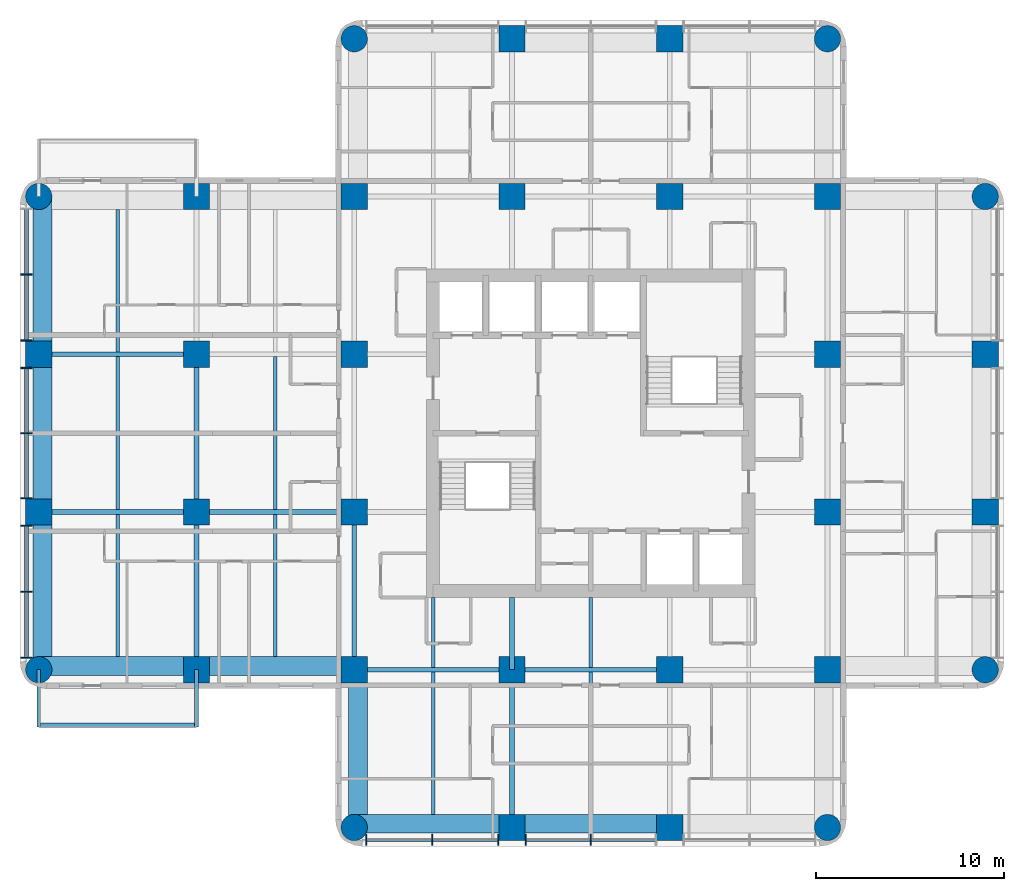
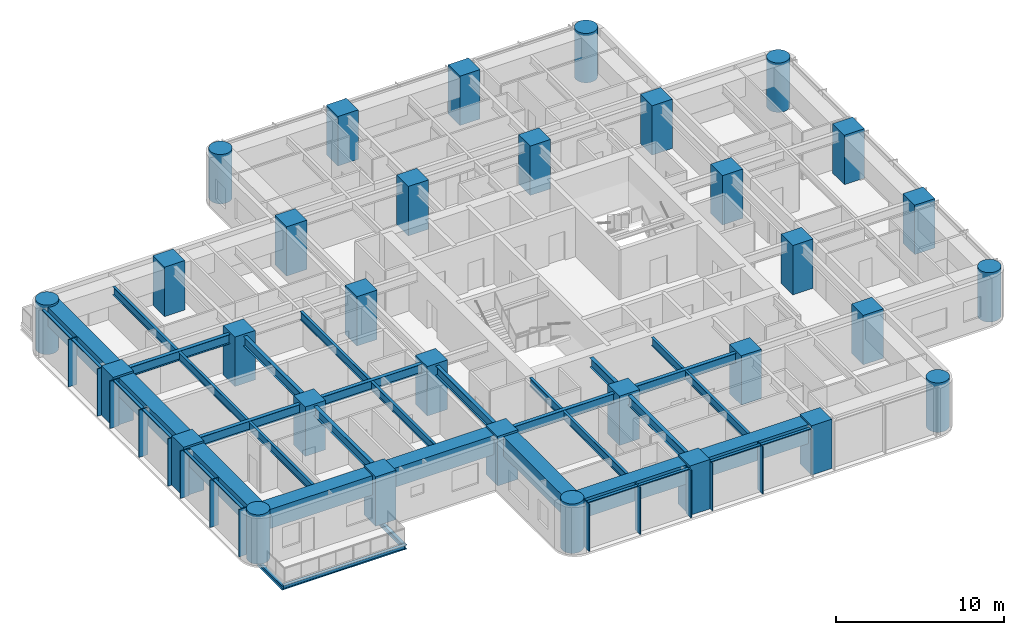
# One storey, part 1 of 11: 32 columns, 30 beams, 23 members, 2 elements without a shape of their own.
"""IFC4 building model written with IfcOpenShell, lengths in metres."""

from ifc_helpers import new_model, si_unit, direction, frame, origin, origin_2d, place, context, subcontext, project, spatial, rectangle, circle, i_section, extrude, material, material_profile, profile_set, type_object, element, aggregate, save


model = new_model("IFC4")

# Units and contexts
model_context = context("Model", 3, precision=1e-05, world=origin(), true_north=direction((0.0, 1.0)))
body_context = subcontext(model_context, "Body", "Model", "MODEL_VIEW")
ifc_project = project(units=[si_unit("LENGTHUNIT", "METRE"), si_unit("AREAUNIT", "SQUARE_METRE"), si_unit("VOLUMEUNIT", "CUBIC_METRE"), si_unit("PLANEANGLEUNIT", "RADIAN"), si_unit("MASSUNIT", "GRAM", prefix="KILO")], contexts=[model_context])

# Site, building, storey
site_placement = place(None, origin())
site = spatial("IfcSite", under=ifc_project, at=site_placement, CompositionType="ELEMENT")
building_placement = place(site_placement, origin())
building = spatial("IfcBuilding", under=site, at=building_placement, Name="Torre Alcanfor", CompositionType="ELEMENT")
storey_placement = place(building_placement, frame((0.0, 0.0, 215.699951171875)))
storey = spatial("IfcBuildingStorey", under=building, at=storey_placement, Name="L56", CompositionType="ELEMENT", Elevation=215.699951171875)

# Columns
ifc_material_1 = material(Name="Concrete f'c 70 MPa", Category="concrete")
ifc_material_profile_1 = material_profile(ifc_material_1, rectangle(XDim=1.39990234375, YDim=1.39990234375, at=origin_2d()), Name="1400x1400")
ifc_profile_set_1 = profile_set([ifc_material_profile_1], Name="Concrete f'c 70 MPa")
column_type_1 = type_object("IfcColumnType", Name="RC column 1400x1400 f'c70", PredefinedType="COLUMN", material=ifc_profile_set_1)
for number, where, z_axis, x_axis, name in (
    (1, (0.0, 25.199951171875, 0.0), (0.0, 0.0, 1.0), (1.0, 0.0, 0.0), "Column 1/F L56"),
    (2, (0.0, 33.60009765625, 0.0), (0.0, 0.0, 1.0), (1.0, 0.0, 0.0), "Column 1/G L56"),
    (3, (8.39990234375, 16.800048828125, 0.0), (0.0, 0.0, 1.0), (1.0, 0.0, 0.0), "Column 2/E L56"),
    (4, (8.39990234375, 25.199951171875, 0.0), (0.0, 0.0, 1.0), (1.0, 0.0, 0.0), "Column 2/F L56"),
    (5, (8.39990234375, 33.60009765625, 0.0), (0.0, 0.0, 1.0), (1.0, 0.0, 0.0), "Column 2/G L56"),
    (6, (8.39990234375, 42.0, 0.0), (0.0, 0.0, 1.0), (1.0, 0.0, 0.0), "Column 2/H L56"),
    (7, (16.800048828125, 16.800048828125, 0.0), (0.0, 0.0, 1.0), (1.0, 0.0, 0.0), "Column 3/E L56"),
    (8, (16.800048828125, 25.199951171875, 0.0), (0.0, 0.0, 1.0), (1.0, 0.0, 0.0), "Column 3/F L56"),
    (9, (16.800048828125, 33.60009765625, 0.0), (0.0, 0.0, 1.0), (1.0, 0.0, 0.0), "Column 3/G L56"),
    (10, (16.800048828125, 42.0, 0.0), (0.0, 0.0, 1.0), (1.0, 0.0, 0.0), "Column 3/H L56"),
    (11, (25.199951171875, 8.39990234375, 0.0), (0.0, 0.0, 1.0), (1.0, 0.0, 0.0), "Column 4/D L56"),
    (12, (25.199951171875, 16.800048828125, 0.0), (0.0, 0.0, 1.0), (1.0, 0.0, 0.0), "Column 4/E L56"),
    (13, (25.199951171875, 42.0, 0.0), (0.0, 0.0, 1.0), (1.0, 0.0, 0.0), "Column 4/H L56"),
    (14, (25.199951171875, 50.39990234375, 0.0), (0.0, 0.0, 1.0), (1.0, 0.0, 0.0), "Column 4/J L56"),
    (15, (33.60009765625, 8.39990234375, 0.0), (0.0, 0.0, 1.0), (1.0, 0.0, 0.0), "Column 5/D L56"),
    (16, (33.60009765625, 16.800048828125, 0.0), (0.0, 0.0, 1.0), (1.0, 0.0, 0.0), "Column 5/E L56"),
    (17, (33.60009765625, 42.0, 0.0), (0.0, 0.0, 1.0), (1.0, 0.0, 0.0), "Column 5/H L56"),
    (18, (33.60009765625, 50.39990234375, 0.0), (0.0, 0.0, 1.0), (1.0, 0.0, 0.0), "Column 5/J L56"),
    (19, (42.0, 16.800048828125, 0.0), (0.0, 0.0, 1.0), (1.0, 0.0, 0.0), "Column 6/E L56"),
    (20, (42.0, 25.199951171875, 0.0), (0.0, 0.0, 1.0), (1.0, 0.0, 0.0), "Column 6/F L56"),
    (21, (42.0, 33.60009765625, 0.0), (0.0, 0.0, 1.0), (1.0, 0.0, 0.0), "Column 6/G L56"),
    (22, (42.0, 42.0, 0.0), (0.0, 0.0, 1.0), (1.0, 0.0, 0.0), "Column 6/H L56"),
    (23, (50.39990234375, 25.199951171875, 0.0), (0.0, 0.0, 1.0), (1.0, 0.0, 0.0), "Column 7/F L56"),
    (24, (50.39990234375, 33.60009765625, 0.0), (0.0, 0.0, 1.0), (1.0, 0.0, 0.0), "Column 7/G L56"),
):
    element("IfcColumn", number, at=place(storey_placement, frame(where, z_axis=z_axis, x_axis=x_axis)), inside=storey, type_object=column_type_1, Name=name, PredefinedType="COLUMN", context=body_context, shape_type="SweptSolid", body=[
        extrude(rectangle(XDim=1.39990234375, YDim=1.39990234375, at=origin_2d()), origin(), (0.0, 0.0, 1.0), 3.60009765625),
    ])
ifc_material_2 = material(Name="Concrete f'c 70 MPa", Category="concrete")
ifc_material_profile_2 = material_profile(ifc_material_2, circle(Radius=0.699951171875, at=origin_2d()), Name="D1400")
ifc_profile_set_2 = profile_set([ifc_material_profile_2], Name="Concrete f'c 70 MPa")
column_type_2 = type_object("IfcColumnType", Name="RC column D1400 f'c70", PredefinedType="COLUMN", material=ifc_profile_set_2)
for number, where, z_axis, x_axis, name in (
    (25, (0.0, 16.800048828125, 0.0), (0.0, 0.0, 1.0), (1.0, 0.0, 0.0), "Column 1/E L56"),
    (26, (0.0, 42.0, 0.0), (0.0, 0.0, 1.0), (1.0, 0.0, 0.0), "Column 1/H L56"),
    (27, (16.800048828125, 8.39990234375, 0.0), (0.0, 0.0, 1.0), (1.0, 0.0, 0.0), "Column 3/D L56"),
    (28, (16.800048828125, 50.39990234375, 0.0), (0.0, 0.0, 1.0), (1.0, 0.0, 0.0), "Column 3/J L56"),
    (29, (42.0, 8.39990234375, 0.0), (0.0, 0.0, 1.0), (1.0, 0.0, 0.0), "Column 6/D L56"),
    (30, (42.0, 50.39990234375, 0.0), (0.0, 0.0, 1.0), (1.0, 0.0, 0.0), "Column 6/J L56"),
    (31, (50.39990234375, 16.800048828125, 0.0), (0.0, 0.0, 1.0), (1.0, 0.0, 0.0), "Column 7/E L56"),
    (32, (50.39990234375, 42.0, 0.0), (0.0, 0.0, 1.0), (1.0, 0.0, 0.0), "Column 7/H L56"),
):
    element("IfcColumn", number, at=place(storey_placement, frame(where, z_axis=z_axis, x_axis=x_axis)), inside=storey, type_object=column_type_2, Name=name, PredefinedType="COLUMN", context=body_context, shape_type="SweptSolid", body=[
        extrude(circle(Radius=0.699951171875, at=origin_2d()), origin(), (0.0, 0.0, 1.0), 3.60009765625),
    ])

# Beams
ifc_material_3 = material(Name="Steel ASTM A992 Grade 50", Category="steel")
ifc_material_profile_3 = material_profile(ifc_material_3, i_section(OverallWidth=0.205322265625, OverallDepth=0.309814453125, WebThickness=0.00927734375, FlangeThickness=0.016357421875, at=origin_2d()), Name="W12x50")
ifc_profile_set_3 = profile_set([ifc_material_profile_3], Name="Steel ASTM A992 Grade 50")
beam_type_1 = type_object("IfcBeamType", Name="Balcony cantilever beam W12x50", PredefinedType="BEAM", material=ifc_profile_set_3)
for number, where, z_axis, x_axis, name in (
    (33, (8.39990234375, 16.800048828125, -0.35498046875), (0.0, -1.0, 0.0), (1.0, 0.0, 0.0), "Balcony cantilever beam L56-W1 1"),
    (34, (0.0, 16.800048828125, -0.35498046875), (0.0, -1.0, 0.0), (1.0, 0.0, 0.0), "Balcony cantilever beam L56-W1 2"),
):
    element("IfcBeam", number, at=place(storey_placement, frame(where, z_axis=z_axis, x_axis=x_axis)), inside=storey, type_object=beam_type_1, Name=name, PredefinedType="BEAM", context=body_context, shape_type="SweptSolid", body=[
        extrude(i_section(OverallWidth=0.205322265625, OverallDepth=0.309814453125, WebThickness=0.00927734375, FlangeThickness=0.016357421875, at=origin_2d()), origin(), (0.0, 0.0, 1.0), 3.050048828125),
    ])
ifc_material_4 = material(Name="Steel ASTM A992 Grade 50", Category="steel")
ifc_material_profile_4 = material_profile(ifc_material_4, i_section(OverallWidth=0.203369140625, OverallDepth=0.30224609375, WebThickness=0.007568359375, FlangeThickness=0.01318359375, at=origin_2d()), Name="W12x40")
ifc_profile_set_4 = profile_set([ifc_material_profile_4], Name="Steel ASTM A992 Grade 50")
beam_type_2 = type_object("IfcBeamType", Name="Balcony edge trimmer W12x40", PredefinedType="BEAM", material=ifc_profile_set_4)
beam_1_placement = place(storey_placement, frame((8.39990234375, 13.851806640625, -0.35107421875), z_axis=(-1.0, 0.0, 0.0), x_axis=(0.0, -1.0, 0.0)))
element("IfcBeam", 35, at=beam_1_placement, inside=storey, type_object=beam_type_2, Name="Balcony edge trimmer L56-W1", PredefinedType="BEAM", context=body_context, shape_type="SweptSolid", body=[
    extrude(i_section(OverallWidth=0.203369140625, OverallDepth=0.30224609375, WebThickness=0.007568359375, FlangeThickness=0.01318359375, at=origin_2d()), origin(), (0.0, 0.0, 1.0), 8.39990234375),
])

# Curtain wall, members
ifc_material_5 = material(Name="Aluminium and glass", Category="aluminium")
curtain_wall_type = type_object("IfcCurtainWallType", Name="CW-A unitised apartment glazing with vertical FIN", PredefinedType="NOTDEFINED", material=ifc_material_5)
curtain_wall_1_placement = place(storey_placement, origin())
curtain_wall_1 = element("IfcCurtainWall", 36, at=curtain_wall_1_placement, inside=storey, type_object=curtain_wall_type, Name="Curtain wall CW-A L56 2", PredefinedType="NOTDEFINED")
ifc_material_6 = material(Name="Bronze anodised aluminium", Category="aluminium")
ifc_material_profile_5 = material_profile(ifc_material_6, rectangle(XDim=0.60009765625, YDim=0.06494140625, at=origin_2d()), Name="CW-A mullion 65x600")
ifc_profile_set_5 = profile_set([ifc_material_profile_5], Name="Bronze anodised aluminium")
member_type_1 = type_object("IfcMemberType", Name="CW-A mullion with vertical FIN 65x600", PredefinedType="MULLION", material=ifc_profile_set_5)
member_1_placement = place(storey_placement, frame((-0.64990234375, 37.846435546875, 0.0), z_axis=(0.0, 0.0, 1.0), x_axis=(1.0, 0.0, 0.0)))
member_1 = element("IfcMember", 37, at=member_1_placement, type_object=member_type_1, Name="CW-A mullion 1.2", PredefinedType="MULLION", context=body_context, shape_type="SweptSolid", body=[
    extrude(rectangle(XDim=0.60009765625, YDim=0.06494140625, at=origin_2d()), origin(), (0.0, 0.0, 1.0), 3.449951171875),
])
member_2_placement = place(storey_placement, frame((-0.64990234375, 34.33740234375, 0.0), z_axis=(0.0, 0.0, 1.0), x_axis=(1.0, 0.0, 0.0)))
member_2 = element("IfcMember", 38, at=member_2_placement, type_object=member_type_1, Name="CW-A mullion 1.3", PredefinedType="MULLION", context=body_context, shape_type="SweptSolid", body=[
    extrude(rectangle(XDim=0.60009765625, YDim=0.06494140625, at=origin_2d()), origin(), (0.0, 0.0, 1.0), 3.449951171875),
])
member_3_placement = place(storey_placement, frame((-0.64990234375, 32.862548828125, 0.0), z_axis=(0.0, 0.0, 1.0), x_axis=(1.0, 0.0, 0.0)))
member_3 = element("IfcMember", 39, at=member_3_placement, type_object=member_type_1, Name="CW-A mullion 2.1", PredefinedType="MULLION", context=body_context, shape_type="SweptSolid", body=[
    extrude(rectangle(XDim=0.60009765625, YDim=0.06494140625, at=origin_2d()), origin(), (0.0, 0.0, 1.0), 3.449951171875),
])
member_4_placement = place(storey_placement, frame((-0.64990234375, 29.39990234375, 0.0), z_axis=(0.0, 0.0, 1.0), x_axis=(1.0, 0.0, 0.0)))
member_4 = element("IfcMember", 40, at=member_4_placement, type_object=member_type_1, Name="CW-A mullion 2.2", PredefinedType="MULLION", context=body_context, shape_type="SweptSolid", body=[
    extrude(rectangle(XDim=0.60009765625, YDim=0.06494140625, at=origin_2d()), origin(), (0.0, 0.0, 1.0), 3.449951171875),
])
member_5_placement = place(storey_placement, frame((-0.64990234375, 25.9375, 0.0), z_axis=(0.0, 0.0, 1.0), x_axis=(1.0, 0.0, 0.0)))
member_5 = element("IfcMember", 41, at=member_5_placement, type_object=member_type_1, Name="CW-A mullion 2.3", PredefinedType="MULLION", context=body_context, shape_type="SweptSolid", body=[
    extrude(rectangle(XDim=0.60009765625, YDim=0.06494140625, at=origin_2d()), origin(), (0.0, 0.0, 1.0), 3.449951171875),
])
member_6_placement = place(storey_placement, frame((-0.64990234375, 24.46240234375, 0.0), z_axis=(0.0, 0.0, 1.0), x_axis=(1.0, 0.0, 0.0)))
member_6 = element("IfcMember", 42, at=member_6_placement, type_object=member_type_1, Name="CW-A mullion 3.1", PredefinedType="MULLION", context=body_context, shape_type="SweptSolid", body=[
    extrude(rectangle(XDim=0.60009765625, YDim=0.06494140625, at=origin_2d()), origin(), (0.0, 0.0, 1.0), 3.449951171875),
])
member_7_placement = place(storey_placement, frame((-0.64990234375, 20.95361328125, 0.0), z_axis=(0.0, 0.0, 1.0), x_axis=(1.0, 0.0, 0.0)))
member_7 = element("IfcMember", 43, at=member_7_placement, type_object=member_type_1, Name="CW-A mullion 3.2", PredefinedType="MULLION", context=body_context, shape_type="SweptSolid", body=[
    extrude(rectangle(XDim=0.60009765625, YDim=0.06494140625, at=origin_2d()), origin(), (0.0, 0.0, 1.0), 3.449951171875),
])
member_8_placement = place(storey_placement, frame((-0.64990234375, 17.444580078125, 0.0), z_axis=(0.0, 0.0, 1.0), x_axis=(1.0, 0.0, 0.0)))
member_8 = element("IfcMember", 44, at=member_8_placement, type_object=member_type_1, Name="CW-A mullion 3.3", PredefinedType="MULLION", context=body_context, shape_type="SweptSolid", body=[
    extrude(rectangle(XDim=0.60009765625, YDim=0.06494140625, at=origin_2d()), origin(), (0.0, 0.0, 1.0), 3.449951171875),
])

curtain_wall_2_placement = place(storey_placement, origin())
curtain_wall_2 = element("IfcCurtainWall", 45, at=curtain_wall_2_placement, inside=storey, type_object=curtain_wall_type, Name="Curtain wall CW-A L56 5", PredefinedType="NOTDEFINED")
member_9_placement = place(storey_placement, frame((17.444580078125, 7.75, 0.0), z_axis=(0.0, 0.0, 1.0), x_axis=(0.0, 1.0, 0.0)))
member_9 = element("IfcMember", 46, at=member_9_placement, type_object=member_type_1, Name="CW-A mullion 1.1", PredefinedType="MULLION", context=body_context, shape_type="SweptSolid", body=[
    extrude(rectangle(XDim=0.60009765625, YDim=0.06494140625, at=origin_2d()), origin(), (0.0, 0.0, 1.0), 3.449951171875),
])
member_10_placement = place(storey_placement, frame((20.95361328125, 7.75, 0.0), z_axis=(0.0, 0.0, 1.0), x_axis=(0.0, 1.0, 0.0)))
member_10 = element("IfcMember", 47, at=member_10_placement, type_object=member_type_1, Name="CW-A mullion 1.2", PredefinedType="MULLION", context=body_context, shape_type="SweptSolid", body=[
    extrude(rectangle(XDim=0.60009765625, YDim=0.06494140625, at=origin_2d()), origin(), (0.0, 0.0, 1.0), 3.449951171875),
])
member_11_placement = place(storey_placement, frame((24.46240234375, 7.75, 0.0), z_axis=(0.0, 0.0, 1.0), x_axis=(0.0, 1.0, 0.0)))
member_11 = element("IfcMember", 48, at=member_11_placement, type_object=member_type_1, Name="CW-A mullion 1.3", PredefinedType="MULLION", context=body_context, shape_type="SweptSolid", body=[
    extrude(rectangle(XDim=0.60009765625, YDim=0.06494140625, at=origin_2d()), origin(), (0.0, 0.0, 1.0), 3.449951171875),
])
member_12_placement = place(storey_placement, frame((25.9375, 7.75, 0.0), z_axis=(0.0, 0.0, 1.0), x_axis=(0.0, 1.0, 0.0)))
member_12 = element("IfcMember", 49, at=member_12_placement, type_object=member_type_1, Name="CW-A mullion 2.1", PredefinedType="MULLION", context=body_context, shape_type="SweptSolid", body=[
    extrude(rectangle(XDim=0.60009765625, YDim=0.06494140625, at=origin_2d()), origin(), (0.0, 0.0, 1.0), 3.449951171875),
])
member_13_placement = place(storey_placement, frame((29.39990234375, 7.75, 0.0), z_axis=(0.0, 0.0, 1.0), x_axis=(0.0, 1.0, 0.0)))
member_13 = element("IfcMember", 50, at=member_13_placement, type_object=member_type_1, Name="CW-A mullion 2.2", PredefinedType="MULLION", context=body_context, shape_type="SweptSolid", body=[
    extrude(rectangle(XDim=0.60009765625, YDim=0.06494140625, at=origin_2d()), origin(), (0.0, 0.0, 1.0), 3.449951171875),
])

# Member
ifc_material_7 = material(Name="Extruded aluminium", Category="aluminium")
ifc_material_profile_6 = material_profile(ifc_material_7, rectangle(XDim=0.199951171875, YDim=0.06494140625, at=origin_2d()), Name="CW-A transom 200x65")
ifc_profile_set_6 = profile_set([ifc_material_profile_6], Name="Extruded aluminium")
member_type_2 = type_object("IfcMemberType", Name="CW-A transom 65x200", PredefinedType="USERDEFINED", material=ifc_profile_set_6)
member_14_placement = place(storey_placement, frame((-0.64990234375, 41.322998046875, 3.41748046875), z_axis=(0.0, -1.0, 0.0), x_axis=(1.0, 0.0, 0.0)))
member_14 = element("IfcMember", 51, at=member_14_placement, type_object=member_type_2, Name="CW-A transom 1.1.2", ObjectType="TRANSOM", PredefinedType="USERDEFINED", context=body_context, shape_type="SweptSolid", body=[
    extrude(rectangle(XDim=0.199951171875, YDim=0.06494140625, at=origin_2d()), origin(), (0.0, 0.0, 1.0), 3.444091796875),
])

member_15_placement = place(storey_placement, frame((-0.64990234375, 37.81396484375, 3.41748046875), z_axis=(0.0, -1.0, 0.0), x_axis=(1.0, 0.0, 0.0)))
member_15 = element("IfcMember", 52, at=member_15_placement, type_object=member_type_2, Name="CW-A transom 1.2.2", ObjectType="TRANSOM", PredefinedType="USERDEFINED", context=body_context, shape_type="SweptSolid", body=[
    extrude(rectangle(XDim=0.199951171875, YDim=0.06494140625, at=origin_2d()), origin(), (0.0, 0.0, 1.0), 3.44384765625),
])

member_16_placement = place(storey_placement, frame((-0.64990234375, 32.830078125, 3.41748046875), z_axis=(0.0, -1.0, 0.0), x_axis=(1.0, 0.0, 0.0)))
member_16 = element("IfcMember", 53, at=member_16_placement, type_object=member_type_2, Name="CW-A transom 2.1.2", ObjectType="TRANSOM", PredefinedType="USERDEFINED", context=body_context, shape_type="SweptSolid", body=[
    extrude(rectangle(XDim=0.199951171875, YDim=0.06494140625, at=origin_2d()), origin(), (0.0, 0.0, 1.0), 3.3974609375),
])

member_17_placement = place(storey_placement, frame((-0.64990234375, 29.367431640625, 3.41748046875), z_axis=(0.0, -1.0, 0.0), x_axis=(1.0, 0.0, 0.0)))
member_17 = element("IfcMember", 54, at=member_17_placement, type_object=member_type_2, Name="CW-A transom 2.2.2", ObjectType="TRANSOM", PredefinedType="USERDEFINED", context=body_context, shape_type="SweptSolid", body=[
    extrude(rectangle(XDim=0.199951171875, YDim=0.06494140625, at=origin_2d()), origin(), (0.0, 0.0, 1.0), 3.3974609375),
])

member_18_placement = place(storey_placement, frame((-0.64990234375, 24.429931640625, 3.41748046875), z_axis=(0.0, -1.0, 0.0), x_axis=(1.0, 0.0, 0.0)))
member_18 = element("IfcMember", 55, at=member_18_placement, type_object=member_type_2, Name="CW-A transom 3.1.2", ObjectType="TRANSOM", PredefinedType="USERDEFINED", context=body_context, shape_type="SweptSolid", body=[
    extrude(rectangle(XDim=0.199951171875, YDim=0.06494140625, at=origin_2d()), origin(), (0.0, 0.0, 1.0), 3.44384765625),
])

member_19_placement = place(storey_placement, frame((-0.64990234375, 20.9208984375, 3.41748046875), z_axis=(0.0, -1.0, 0.0), x_axis=(1.0, 0.0, 0.0)))
member_19 = element("IfcMember", 56, at=member_19_placement, type_object=member_type_2, Name="CW-A transom 3.2.2", ObjectType="TRANSOM", PredefinedType="USERDEFINED", context=body_context, shape_type="SweptSolid", body=[
    extrude(rectangle(XDim=0.199951171875, YDim=0.06494140625, at=origin_2d()), origin(), (0.0, 0.0, 1.0), 3.44384765625),
])

aggregate(curtain_wall_1, [member_1, member_2, member_14, member_15, member_3, member_4, member_5, member_16, member_17, member_6, member_7, member_8, member_18, member_19])

member_20_placement = place(storey_placement, frame((17.47705078125, 7.75, 3.41748046875), z_axis=(1.0, 0.0, 0.0), x_axis=(0.0, 1.0, 0.0)))
member_20 = element("IfcMember", 57, at=member_20_placement, type_object=member_type_2, Name="CW-A transom 1.1.2", ObjectType="TRANSOM", PredefinedType="USERDEFINED", context=body_context, shape_type="SweptSolid", body=[
    extrude(rectangle(XDim=0.199951171875, YDim=0.06494140625, at=origin_2d()), origin(), (0.0, 0.0, 1.0), 3.44384765625),
])

member_21_placement = place(storey_placement, frame((20.986083984375, 7.75, 3.41748046875), z_axis=(1.0, 0.0, 0.0), x_axis=(0.0, 1.0, 0.0)))
member_21 = element("IfcMember", 58, at=member_21_placement, type_object=member_type_2, Name="CW-A transom 1.2.2", ObjectType="TRANSOM", PredefinedType="USERDEFINED", context=body_context, shape_type="SweptSolid", body=[
    extrude(rectangle(XDim=0.199951171875, YDim=0.06494140625, at=origin_2d()), origin(), (0.0, 0.0, 1.0), 3.44384765625),
])

member_22_placement = place(storey_placement, frame((25.969970703125, 7.75, 3.41748046875), z_axis=(1.0, 0.0, 0.0), x_axis=(0.0, 1.0, 0.0)))
member_22 = element("IfcMember", 59, at=member_22_placement, type_object=member_type_2, Name="CW-A transom 2.1.2", ObjectType="TRANSOM", PredefinedType="USERDEFINED", context=body_context, shape_type="SweptSolid", body=[
    extrude(rectangle(XDim=0.199951171875, YDim=0.06494140625, at=origin_2d()), origin(), (0.0, 0.0, 1.0), 3.3974609375),
])

member_23_placement = place(storey_placement, frame((29.4326171875, 7.75, 3.41748046875), z_axis=(1.0, 0.0, 0.0), x_axis=(0.0, 1.0, 0.0)))
member_23 = element("IfcMember", 60, at=member_23_placement, type_object=member_type_2, Name="CW-A transom 2.2.2", ObjectType="TRANSOM", PredefinedType="USERDEFINED", context=body_context, shape_type="SweptSolid", body=[
    extrude(rectangle(XDim=0.199951171875, YDim=0.06494140625, at=origin_2d()), origin(), (0.0, 0.0, 1.0), 3.3974609375),
])

aggregate(curtain_wall_2, [member_9, member_10, member_11, member_20, member_21, member_12, member_13, member_22, member_23])

# Beams
ifc_material_8 = material(Name="Steel ASTM A992 Grade 50", Category="steel")
ifc_material_profile_7 = material_profile(ifc_material_8, i_section(OverallWidth=0.25390625, OverallDepth=0.683349609375, WebThickness=0.012451171875, FlangeThickness=0.01904296875, at=origin_2d()), Name="W27x94")
ifc_profile_set_7 = profile_set([ifc_material_profile_7], Name="Steel ASTM A992 Grade 50")
beam_type_3 = type_object("IfcBeamType", Name="Girder W27x94", PredefinedType="BEAM", material=ifc_profile_set_7)
beam_2_placement = place(storey_placement, frame((16.800048828125, 16.800048828125, 3.1083984375), z_axis=(1.0, 0.0, 0.0), x_axis=(0.0, 1.0, 0.0)))
element("IfcBeam", 61, at=beam_2_placement, inside=storey, type_object=beam_type_3, Name="Beam 3E-4E under L57", PredefinedType="BEAM", context=body_context, shape_type="SweptSolid", body=[
    extrude(i_section(OverallWidth=0.25390625, OverallDepth=0.683349609375, WebThickness=0.012451171875, FlangeThickness=0.01904296875, at=origin_2d()), origin(), (0.0, 0.0, 1.0), 8.39990234375),
])
beam_3_placement = place(storey_placement, frame((25.199951171875, 16.800048828125, 3.1083984375), z_axis=(1.0, 0.0, 0.0), x_axis=(0.0, 1.0, 0.0)))
element("IfcBeam", 62, at=beam_3_placement, inside=storey, type_object=beam_type_3, Name="Beam 4E-5E under L57", PredefinedType="BEAM", context=body_context, shape_type="SweptSolid", body=[
    extrude(i_section(OverallWidth=0.25390625, OverallDepth=0.683349609375, WebThickness=0.012451171875, FlangeThickness=0.01904296875, at=origin_2d()), origin(), (0.0, 0.0, 1.0), 8.400146484375),
])
beam_4_placement = place(storey_placement, frame((0.0, 25.199951171875, 3.1083984375), z_axis=(1.0, 0.0, 0.0), x_axis=(0.0, 1.0, 0.0)))
element("IfcBeam", 63, at=beam_4_placement, inside=storey, type_object=beam_type_3, Name="Beam 1F-2F under L57", PredefinedType="BEAM", context=body_context, shape_type="SweptSolid", body=[
    extrude(i_section(OverallWidth=0.25390625, OverallDepth=0.683349609375, WebThickness=0.012451171875, FlangeThickness=0.01904296875, at=origin_2d()), origin(), (0.0, 0.0, 1.0), 8.39990234375),
])
beam_5_placement = place(storey_placement, frame((8.39990234375, 25.199951171875, 3.1083984375), z_axis=(1.0, 0.0, 0.0), x_axis=(0.0, 1.0, 0.0)))
element("IfcBeam", 64, at=beam_5_placement, inside=storey, type_object=beam_type_3, Name="Beam 2F-3F under L57", PredefinedType="BEAM", context=body_context, shape_type="SweptSolid", body=[
    extrude(i_section(OverallWidth=0.25390625, OverallDepth=0.683349609375, WebThickness=0.012451171875, FlangeThickness=0.01904296875, at=origin_2d()), origin(), (0.0, 0.0, 1.0), 8.400146484375),
])
for number, where, z_axis, x_axis, name in (
    (65, (0.0, 33.60009765625, 3.1083984375), (1.0, 0.0, 0.0), (0.0, 1.0, 0.0), "Beam 1G-2G under L57"),
    (66, (8.39990234375, 16.800048828125, 3.1083984375), (0.0, 1.0, 0.0), (-1.0, 0.0, 0.0), "Beam 2E-2F under L57"),
):
    element("IfcBeam", number, at=place(storey_placement, frame(where, z_axis=z_axis, x_axis=x_axis)), inside=storey, type_object=beam_type_3, Name=name, PredefinedType="BEAM", context=body_context, shape_type="SweptSolid", body=[
        extrude(i_section(OverallWidth=0.25390625, OverallDepth=0.683349609375, WebThickness=0.012451171875, FlangeThickness=0.01904296875, at=origin_2d()), origin(), (0.0, 0.0, 1.0), 8.39990234375),
    ])
beam_6_placement = place(storey_placement, frame((8.39990234375, 25.199951171875, 3.1083984375), z_axis=(0.0, 1.0, 0.0), x_axis=(-1.0, 0.0, 0.0)))
element("IfcBeam", 67, at=beam_6_placement, inside=storey, type_object=beam_type_3, Name="Beam 2F-2G under L57", PredefinedType="BEAM", context=body_context, shape_type="SweptSolid", body=[
    extrude(i_section(OverallWidth=0.25390625, OverallDepth=0.683349609375, WebThickness=0.012451171875, FlangeThickness=0.01904296875, at=origin_2d()), origin(), (0.0, 0.0, 1.0), 8.400146484375),
])
beam_7_placement = place(storey_placement, frame((16.800048828125, 16.800048828125, 3.1083984375), z_axis=(0.0, 1.0, 0.0), x_axis=(-1.0, 0.0, 0.0)))
element("IfcBeam", 68, at=beam_7_placement, inside=storey, type_object=beam_type_3, Name="Beam 3E-3F under L57", PredefinedType="BEAM", context=body_context, shape_type="SweptSolid", body=[
    extrude(i_section(OverallWidth=0.25390625, OverallDepth=0.683349609375, WebThickness=0.012451171875, FlangeThickness=0.01904296875, at=origin_2d()), origin(), (0.0, 0.0, 1.0), 8.39990234375),
])
beam_8_placement = place(storey_placement, frame((25.199951171875, 8.39990234375, 3.1083984375), z_axis=(0.0, 1.0, 0.0), x_axis=(-1.0, 0.0, 0.0)))
element("IfcBeam", 69, at=beam_8_placement, inside=storey, type_object=beam_type_3, Name="Beam 4D-4E under L57", PredefinedType="BEAM", context=body_context, shape_type="SweptSolid", body=[
    extrude(i_section(OverallWidth=0.25390625, OverallDepth=0.683349609375, WebThickness=0.012451171875, FlangeThickness=0.01904296875, at=origin_2d()), origin(), (0.0, 0.0, 1.0), 8.400146484375),
])
ifc_material_9 = material(Name="Steel ASTM A992 Grade 50", Category="steel")
ifc_material_profile_8 = material_profile(ifc_material_9, i_section(OverallWidth=0.25390625, OverallDepth=0.683349609375, WebThickness=0.012451171875, FlangeThickness=0.01904296875, at=origin_2d()), Name="W27x94")
ifc_profile_set_8 = profile_set([ifc_material_profile_8], Name="Steel ASTM A992 Grade 50")
beam_type_4 = type_object("IfcBeamType", Name="Girder, part bay W27x94", PredefinedType="BEAM", material=ifc_profile_set_8)
beam_9_placement = place(storey_placement, frame((25.199951171875, 16.800048828125, 3.1083984375), z_axis=(0.0, 1.0, 0.0), x_axis=(-1.0, 0.0, 0.0)))
element("IfcBeam", 70, at=beam_9_placement, inside=storey, type_object=beam_type_4, Name="Beam 4E-420_65 under L57", PredefinedType="BEAM", context=body_context, shape_type="SweptSolid", body=[
    extrude(i_section(OverallWidth=0.25390625, OverallDepth=0.683349609375, WebThickness=0.012451171875, FlangeThickness=0.01904296875, at=origin_2d()), origin(), (0.0, 0.0, 1.0), 3.849853515625),
])
ifc_material_10 = material(Name="Concrete f'c 70 MPa", Category="concrete")
ifc_material_profile_9 = material_profile(ifc_material_10, rectangle(XDim=1.0, YDim=1.39990234375, at=origin_2d()), Name="1000x1400")
ifc_profile_set_9 = profile_set([ifc_material_profile_9], Name="Concrete f'c 70 MPa")
beam_type_5 = type_object("IfcBeamType", Name="RC perimeter beam 1000x1400", PredefinedType="BEAM", material=ifc_profile_set_9)
beam_10_placement = place(storey_placement, frame((16.800048828125, 8.60009765625, 2.75), z_axis=(1.0, 0.0, 0.0), x_axis=(0.0, 1.0, 0.0)))
element("IfcBeam", 71, at=beam_10_placement, inside=storey, type_object=beam_type_5, Name="Beam 3D-4D under L57", PredefinedType="BEAM", context=body_context, shape_type="SweptSolid", body=[
    extrude(rectangle(XDim=1.0, YDim=1.39990234375, at=origin_2d()), origin(), (0.0, 0.0, 1.0), 8.27294921875),
])
beam_11_placement = place(storey_placement, frame((25.326904296875, 8.60009765625, 2.75), z_axis=(1.0, 0.0, 0.0), x_axis=(0.0, 1.0, 0.0)))
element("IfcBeam", 72, at=beam_11_placement, inside=storey, type_object=beam_type_5, Name="Beam 4D-5D under L57", PredefinedType="BEAM", context=body_context, shape_type="SweptSolid", body=[
    extrude(rectangle(XDim=1.0, YDim=1.39990234375, at=origin_2d()), origin(), (0.0, 0.0, 1.0), 8.14599609375),
])
beam_12_placement = place(storey_placement, frame((0.0, 17.0, 2.75), z_axis=(1.0, 0.0, 0.0), x_axis=(0.0, 1.0, 0.0)))
element("IfcBeam", 73, at=beam_12_placement, inside=storey, type_object=beam_type_5, Name="Beam 1E-2E under L57", PredefinedType="BEAM", context=body_context, shape_type="SweptSolid", body=[
    extrude(rectangle(XDim=1.0, YDim=1.39990234375, at=origin_2d()), origin(), (0.0, 0.0, 1.0), 8.27294921875),
])
beam_13_placement = place(storey_placement, frame((8.527099609375, 17.0, 2.75), z_axis=(1.0, 0.0, 0.0), x_axis=(0.0, 1.0, 0.0)))
element("IfcBeam", 74, at=beam_13_placement, inside=storey, type_object=beam_type_5, Name="Beam 2E-3E under L57", PredefinedType="BEAM", context=body_context, shape_type="SweptSolid", body=[
    extrude(rectangle(XDim=1.0, YDim=1.39990234375, at=origin_2d()), origin(), (0.0, 0.0, 1.0), 8.14599609375),
])
beam_14_placement = place(storey_placement, frame((0.199951171875, 16.800048828125, 2.75), z_axis=(0.0, 1.0, 0.0), x_axis=(-1.0, 0.0, 0.0)))
element("IfcBeam", 75, at=beam_14_placement, inside=storey, type_object=beam_type_5, Name="Beam 1E-1F under L57", PredefinedType="BEAM", context=body_context, shape_type="SweptSolid", body=[
    extrude(rectangle(XDim=1.0, YDim=1.39990234375, at=origin_2d()), origin(), (0.0, 0.0, 1.0), 8.27294921875),
])
beam_15_placement = place(storey_placement, frame((0.199951171875, 25.326904296875, 2.75), z_axis=(0.0, 1.0, 0.0), x_axis=(-1.0, 0.0, 0.0)))
element("IfcBeam", 76, at=beam_15_placement, inside=storey, type_object=beam_type_5, Name="Beam 1F-1G under L57", PredefinedType="BEAM", context=body_context, shape_type="SweptSolid", body=[
    extrude(rectangle(XDim=1.0, YDim=1.39990234375, at=origin_2d()), origin(), (0.0, 0.0, 1.0), 8.14599609375),
])
beam_16_placement = place(storey_placement, frame((0.199951171875, 33.72705078125, 2.75), z_axis=(0.0, 1.0, 0.0), x_axis=(-1.0, 0.0, 0.0)))
element("IfcBeam", 77, at=beam_16_placement, inside=storey, type_object=beam_type_5, Name="Beam 1G-1H under L57", PredefinedType="BEAM", context=body_context, shape_type="SweptSolid", body=[
    extrude(rectangle(XDim=1.0, YDim=1.39990234375, at=origin_2d()), origin(), (0.0, 0.0, 1.0), 8.27294921875),
])
beam_17_placement = place(storey_placement, frame((17.0, 8.39990234375, 2.75), z_axis=(0.0, 1.0, 0.0), x_axis=(-1.0, 0.0, 0.0)))
element("IfcBeam", 78, at=beam_17_placement, inside=storey, type_object=beam_type_5, Name="Beam 3D-3E under L57", PredefinedType="BEAM", context=body_context, shape_type="SweptSolid", body=[
    extrude(rectangle(XDim=1.0, YDim=1.39990234375, at=origin_2d()), origin(), (0.0, 0.0, 1.0), 8.273193359375),
])
ifc_material_11 = material(Name="Steel ASTM A992 Grade 50", Category="steel")
ifc_material_profile_10 = material_profile(ifc_material_11, i_section(OverallWidth=0.1787109375, OverallDepth=0.60205078125, WebThickness=0.010986328125, FlangeThickness=0.014892578125, at=origin_2d()), Name="W24x62")
ifc_profile_set_10 = profile_set([ifc_material_profile_10], Name="Steel ASTM A992 Grade 50")
beam_type_6 = type_object("IfcBeamType", Name="Secondary beam W24x62", PredefinedType="BEAM", material=ifc_profile_set_10)
beam_18_placement = place(storey_placement, frame((4.199951171875, 17.5, 3.149169921875), z_axis=(0.0, 1.0, 0.0), x_axis=(-1.0, 0.0, 0.0)))
element("IfcBeam", 79, at=beam_18_placement, inside=storey, type_object=beam_type_6, Name="Beam 4_2E-4_2F under L57", PredefinedType="BEAM", context=body_context, shape_type="SweptSolid", body=[
    extrude(i_section(OverallWidth=0.1787109375, OverallDepth=0.60205078125, WebThickness=0.010986328125, FlangeThickness=0.014892578125, at=origin_2d()), origin(), (0.0, 0.0, 1.0), 7.572998046875),
])
beam_19_placement = place(storey_placement, frame((4.199951171875, 25.326904296875, 3.149169921875), z_axis=(0.0, 1.0, 0.0), x_axis=(-1.0, 0.0, 0.0)))
element("IfcBeam", 80, at=beam_19_placement, inside=storey, type_object=beam_type_6, Name="Beam 4_2F-4_2G under L57", PredefinedType="BEAM", context=body_context, shape_type="SweptSolid", body=[
    extrude(i_section(OverallWidth=0.1787109375, OverallDepth=0.60205078125, WebThickness=0.010986328125, FlangeThickness=0.014892578125, at=origin_2d()), origin(), (0.0, 0.0, 1.0), 8.14599609375),
])
for number, where, z_axis, x_axis, name in (
    (81, (4.199951171875, 33.72705078125, 3.149169921875), (0.0, 1.0, 0.0), (-1.0, 0.0, 0.0), "Beam 4_2G-4_2H under L57"),
    (82, (12.60009765625, 17.5, 3.149169921875), (0.0, 1.0, 0.0), (-1.0, 0.0, 0.0), "Beam 12_6E-12_6F under L57"),
):
    element("IfcBeam", number, at=place(storey_placement, frame(where, z_axis=z_axis, x_axis=x_axis)), inside=storey, type_object=beam_type_6, Name=name, PredefinedType="BEAM", context=body_context, shape_type="SweptSolid", body=[
        extrude(i_section(OverallWidth=0.1787109375, OverallDepth=0.60205078125, WebThickness=0.010986328125, FlangeThickness=0.014892578125, at=origin_2d()), origin(), (0.0, 0.0, 1.0), 7.572998046875),
    ])
beam_20_placement = place(storey_placement, frame((12.60009765625, 25.326904296875, 3.149169921875), z_axis=(0.0, 1.0, 0.0), x_axis=(-1.0, 0.0, 0.0)))
element("IfcBeam", 83, at=beam_20_placement, inside=storey, type_object=beam_type_6, Name="Beam 12_6F-12_6G under L57", PredefinedType="BEAM", context=body_context, shape_type="SweptSolid", body=[
    extrude(i_section(OverallWidth=0.1787109375, OverallDepth=0.60205078125, WebThickness=0.010986328125, FlangeThickness=0.014892578125, at=origin_2d()), origin(), (0.0, 0.0, 1.0), 8.14599609375),
])
for number, where, z_axis, x_axis, name in (
    (84, (21.0, 9.10009765625, 3.149169921875), (0.0, 1.0, 0.0), (-1.0, 0.0, 0.0), "Beam 21D-21E under L57"),
    (85, (29.39990234375, 9.10009765625, 3.149169921875), (0.0, 1.0, 0.0), (-1.0, 0.0, 0.0), "Beam 29_4D-29_4E under L57"),
):
    element("IfcBeam", number, at=place(storey_placement, frame(where, z_axis=z_axis, x_axis=x_axis)), inside=storey, type_object=beam_type_6, Name=name, PredefinedType="BEAM", context=body_context, shape_type="SweptSolid", body=[
        extrude(i_section(OverallWidth=0.1787109375, OverallDepth=0.60205078125, WebThickness=0.010986328125, FlangeThickness=0.014892578125, at=origin_2d()), origin(), (0.0, 0.0, 1.0), 7.572998046875),
    ])
ifc_material_12 = material(Name="Steel ASTM A992 Grade 50", Category="steel")
ifc_material_profile_11 = material_profile(ifc_material_12, i_section(OverallWidth=0.1787109375, OverallDepth=0.60205078125, WebThickness=0.010986328125, FlangeThickness=0.014892578125, at=origin_2d()), Name="W24x62")
ifc_profile_set_11 = profile_set([ifc_material_profile_11], Name="Steel ASTM A992 Grade 50")
beam_type_7 = type_object("IfcBeamType", Name="Secondary beam, part bay W24x62", PredefinedType="BEAM", material=ifc_profile_set_11)
for number, where, z_axis, x_axis, name in (
    (86, (21.0, 16.927001953125, 3.149169921875), (0.0, 1.0, 0.0), (-1.0, 0.0, 0.0), "Beam 21E-2120_65 under L57"),
    (87, (29.39990234375, 16.927001953125, 3.149169921875), (0.0, 1.0, 0.0), (-1.0, 0.0, 0.0), "Beam 29_4E-29_420_65 under L57"),
):
    element("IfcBeam", number, at=place(storey_placement, frame(where, z_axis=z_axis, x_axis=x_axis)), inside=storey, type_object=beam_type_7, Name=name, PredefinedType="BEAM", context=body_context, shape_type="SweptSolid", body=[
        extrude(i_section(OverallWidth=0.1787109375, OverallDepth=0.60205078125, WebThickness=0.010986328125, FlangeThickness=0.014892578125, at=origin_2d()), origin(), (0.0, 0.0, 1.0), 3.722900390625),
    ])

save(model, "model.ifc")
